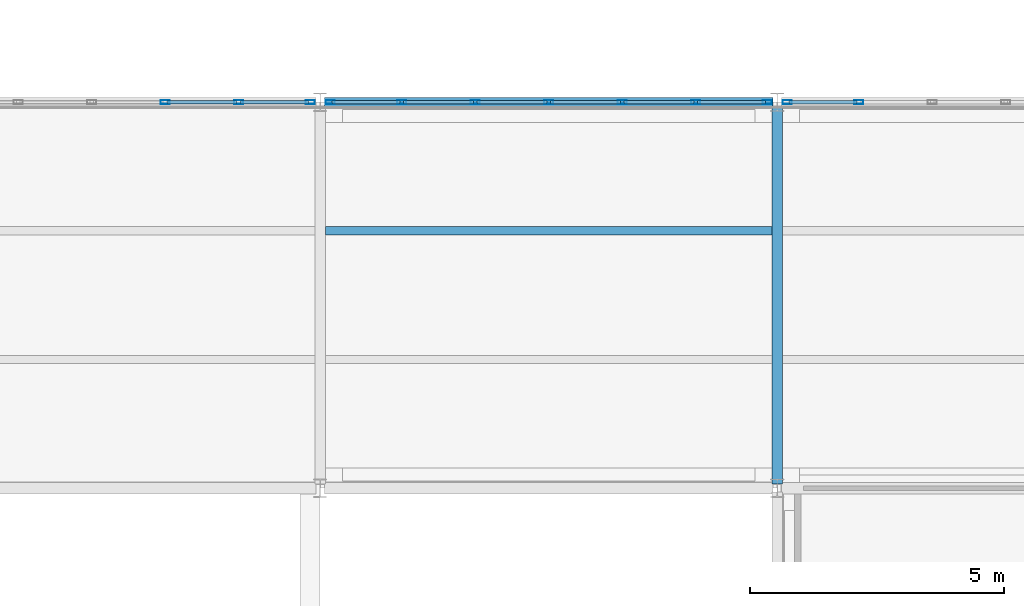
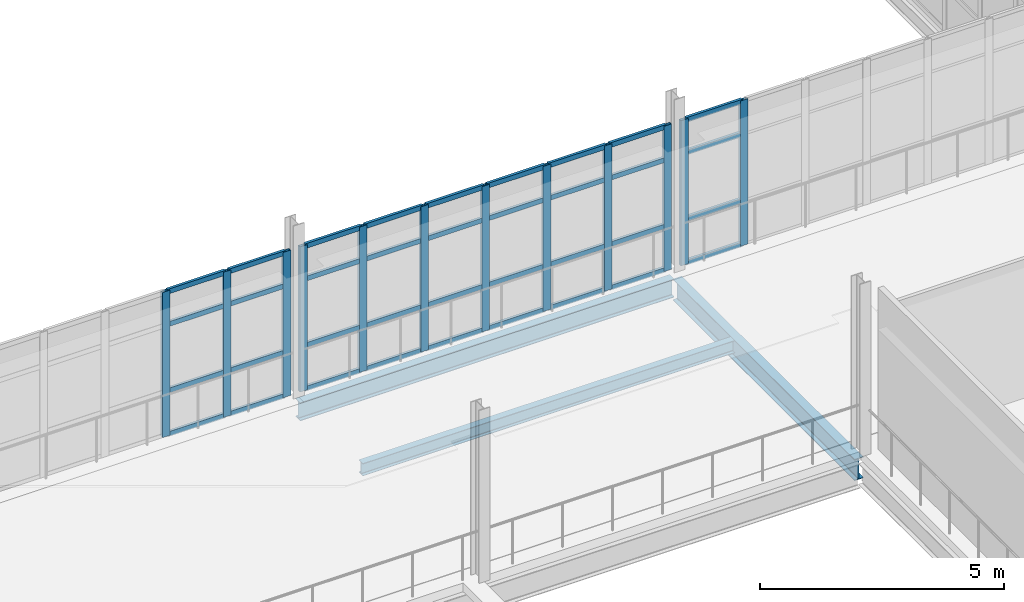
# One storey, part 48 of 174: 48 members, 3 beams, 3 elements without a shape of their own.
"""IFC4 building model written with IfcOpenShell, lengths in metres."""

from ifc_helpers import new_model, si_unit, direction, frame, origin, origin_2d, place, context, subcontext, project, spatial, hollow_rectangle, i_section, extrude, material, material_profile, profile_set, type_object, element, aggregate, save


model = new_model("IFC4")

# Units and contexts
model_context = context("Model", 3, precision=1e-05, world=origin(), true_north=direction((0.0, 1.0)))
body_context = subcontext(model_context, "Body", "Model", "MODEL_VIEW")
ifc_project = project(units=[si_unit("LENGTHUNIT", "METRE"), si_unit("AREAUNIT", "SQUARE_METRE"), si_unit("VOLUMEUNIT", "CUBIC_METRE"), si_unit("PLANEANGLEUNIT", "RADIAN"), si_unit("MASSUNIT", "GRAM", prefix="KILO")], contexts=[model_context])

# Site, building, storey
site_placement = place(None, origin())
site = spatial("IfcSite", under=ifc_project, at=site_placement, CompositionType="ELEMENT")
building_placement = place(site_placement, origin())
building = spatial("IfcBuilding", under=site, at=building_placement, Name="Caisbarro Railhouse Central Library", CompositionType="ELEMENT")
storey_placement = place(building_placement, frame((0.0, 0.0, 5.0400390625)))
storey = spatial("IfcBuildingStorey", under=building, at=storey_placement, Name="L01", CompositionType="ELEMENT", Elevation=5.0400390625)

# Beams
ifc_material_1 = material(Name="Steel ASTM A572 Grade 50", Category="steel")
ifc_material_profile_1 = material_profile(ifc_material_1, i_section(OverallWidth=0.208984375, OverallDepth=0.532958984375, WebThickness=0.01025390625, FlangeThickness=0.015625, FilletRadius=0.02001953125, at=origin_2d()), Name="W530X92.0")
ifc_profile_set_1 = profile_set([ifc_material_profile_1], Name="Steel ASTM A572 Grade 50")
beam_type_1 = type_object("IfcBeamType", Name="BM-G06", PredefinedType="BEAM", material=ifc_profile_set_1)
beam_1_placement = place(storey_placement, frame((45.0, 53.280029296875, -0.486572265625), z_axis=(0.0, 1.0, 0.0), x_axis=(-1.0, 0.0, 0.0)))
element("IfcBeam", 1, at=beam_1_placement, inside=storey, type_object=beam_type_1, Name="G06 beam L01 #844", PredefinedType="BEAM", context=body_context, shape_type="SweptSolid", body=[
    extrude(i_section(OverallWidth=0.208984375, OverallDepth=0.532958984375, WebThickness=0.01025390625, FlangeThickness=0.015625, FilletRadius=0.02001953125, at=origin_2d()), origin(), (0.0, 0.0, 1.0), 7.43994140625),
])
ifc_material_profile_2 = material_profile(ifc_material_1, i_section(OverallWidth=0.1650390625, OverallDepth=0.31005859375, WebThickness=0.005859375, FlangeThickness=0.009765625, FilletRadius=0.011962890625, at=origin_2d()), Name="W310X38.7")
ifc_profile_set_2 = profile_set([ifc_material_profile_2], Name="Steel ASTM A572 Grade 50")
beam_type_2 = type_object("IfcBeamType", Name="BM-J03", PredefinedType="JOIST", material=ifc_profile_set_2)
beam_2_placement = place(storey_placement, frame((36.1044921875, 58.2666015625, -0.375), z_axis=(1.0, 0.0, 0.0), x_axis=(0.0, 1.0, 0.0)))
element("IfcBeam", 2, at=beam_2_placement, inside=storey, type_object=beam_type_2, Name="J03 beam L01 #882", PredefinedType="JOIST", context=body_context, shape_type="SweptSolid", body=[
    extrude(i_section(OverallWidth=0.1650390625, OverallDepth=0.31005859375, WebThickness=0.005859375, FlangeThickness=0.009765625, FilletRadius=0.011962890625, at=origin_2d()), origin(), (0.0, 0.0, 1.0), 8.791015625),
])
ifc_material_profile_3 = material_profile(ifc_material_1, i_section(OverallWidth=0.18994140625, OverallDepth=0.45703125, WebThickness=0.009033203125, FlangeThickness=0.014404296875, FilletRadius=0.01806640625, at=origin_2d()), Name="W460X74.0")
ifc_profile_set_3 = profile_set([ifc_material_profile_3], Name="Steel ASTM A572 Grade 50")
beam_type_3 = type_object("IfcBeamType", Name="BM-SP01", PredefinedType="SPANDREL", material=ifc_profile_set_3)
beam_3_placement = place(storey_placement, frame((36.080078125, 60.800048828125, -0.448486328125), z_axis=(1.0, 0.0, 0.0), x_axis=(0.0, 1.0, 0.0)))
element("IfcBeam", 3, at=beam_3_placement, inside=storey, type_object=beam_type_3, Name="SP01 beam L01 #821", PredefinedType="SPANDREL", context=body_context, shape_type="SweptSolid", body=[
    extrude(i_section(OverallWidth=0.18994140625, OverallDepth=0.45703125, WebThickness=0.009033203125, FlangeThickness=0.014404296875, FilletRadius=0.01806640625, at=origin_2d()), origin(), (0.0, 0.0, 1.0), 8.83984375),
])

# Curtain wall, members
ifc_material_2 = material(Name="Anodised architectural aluminium", Category="aluminium")
curtain_wall_type = type_object("IfcCurtainWallType", Name="CW-CW02", PredefinedType="NOTDEFINED", material=ifc_material_2)
curtain_wall_1_placement = place(storey_placement, origin())
curtain_wall_1 = element("IfcCurtainWall", 4, at=curtain_wall_1_placement, inside=storey, type_object=curtain_wall_type, Name="CW02 curtain wall L01 #10", PredefinedType="NOTDEFINED")
ifc_material_profile_4 = material_profile(ifc_material_2, hollow_rectangle(XDim=0.074951171875, YDim=0.179931640625, WallThickness=0.00439453125, at=origin_2d()), Name="ALU-MUL-75X180")
ifc_profile_set_4 = profile_set([ifc_material_profile_4], Name="Anodised architectural aluminium")
member_type_1 = type_object("IfcMemberType", Name="CWM-M01", PredefinedType="MULLION", material=ifc_profile_set_4)
member_1_placement = place(storey_placement, frame((32.94677734375, 60.800048828125, 0.0), z_axis=(0.0, 0.0, 1.0), x_axis=(0.0, 1.0, 0.0)))
member_1 = element("IfcMember", 5, at=member_1_placement, type_object=member_type_1, Name="CW02 mullion 5", PredefinedType="MULLION", context=body_context, shape_type="SweptSolid", body=[
    extrude(hollow_rectangle(XDim=0.074951171875, YDim=0.179931640625, WallThickness=0.00439453125, at=origin_2d()), origin(), (0.0, 0.0, 1.0), 3.6298828125),
])
member_2_placement = place(storey_placement, frame((34.393310546875, 60.800048828125, 0.0), z_axis=(0.0, 0.0, 1.0), x_axis=(0.0, 1.0, 0.0)))
member_2 = element("IfcMember", 6, at=member_2_placement, type_object=member_type_1, Name="CW02 mullion 6", PredefinedType="MULLION", context=body_context, shape_type="SweptSolid", body=[
    extrude(hollow_rectangle(XDim=0.074951171875, YDim=0.179931640625, WallThickness=0.00439453125, at=origin_2d()), origin(), (0.0, 0.0, 1.0), 3.6298828125),
])
member_3_placement = place(storey_placement, frame((35.802490234375, 60.800048828125, 0.0), z_axis=(0.0, 0.0, 1.0), x_axis=(0.0, 1.0, 0.0)))
member_3 = element("IfcMember", 7, at=member_3_placement, type_object=member_type_1, Name="CW02 mullion 7", PredefinedType="MULLION", context=body_context, shape_type="SweptSolid", body=[
    extrude(hollow_rectangle(XDim=0.074951171875, YDim=0.179931640625, WallThickness=0.00439453125, at=origin_2d()), origin(), (0.0, 0.0, 1.0), 3.6298828125),
])

curtain_wall_2_placement = place(storey_placement, origin())
curtain_wall_2 = element("IfcCurtainWall", 8, at=curtain_wall_2_placement, inside=storey, type_object=curtain_wall_type, Name="CW02 curtain wall L01 #12", PredefinedType="NOTDEFINED")
member_4_placement = place(storey_placement, frame((36.197509765625, 60.800048828125, 0.0), z_axis=(0.0, 0.0, 1.0), x_axis=(0.0, 1.0, 0.0)))
member_4 = element("IfcMember", 9, at=member_4_placement, type_object=member_type_1, Name="CW02 mullion 1", PredefinedType="MULLION", context=body_context, shape_type="SweptSolid", body=[
    extrude(hollow_rectangle(XDim=0.074951171875, YDim=0.179931640625, WallThickness=0.00439453125, at=origin_2d()), origin(), (0.0, 0.0, 1.0), 3.6298828125),
])
member_5_placement = place(storey_placement, frame((37.606689453125, 60.800048828125, 0.0), z_axis=(0.0, 0.0, 1.0), x_axis=(0.0, 1.0, 0.0)))
member_5 = element("IfcMember", 10, at=member_5_placement, type_object=member_type_1, Name="CW02 mullion 2", PredefinedType="MULLION", context=body_context, shape_type="SweptSolid", body=[
    extrude(hollow_rectangle(XDim=0.074951171875, YDim=0.179931640625, WallThickness=0.00439453125, at=origin_2d()), origin(), (0.0, 0.0, 1.0), 3.6298828125),
])
member_6_placement = place(storey_placement, frame((39.05322265625, 60.800048828125, 0.0), z_axis=(0.0, 0.0, 1.0), x_axis=(0.0, 1.0, 0.0)))
member_6 = element("IfcMember", 11, at=member_6_placement, type_object=member_type_1, Name="CW02 mullion 3", PredefinedType="MULLION", context=body_context, shape_type="SweptSolid", body=[
    extrude(hollow_rectangle(XDim=0.074951171875, YDim=0.179931640625, WallThickness=0.00439453125, at=origin_2d()), origin(), (0.0, 0.0, 1.0), 3.6298828125),
])
member_7_placement = place(storey_placement, frame((40.5, 60.800048828125, 0.0), z_axis=(0.0, 0.0, 1.0), x_axis=(0.0, 1.0, 0.0)))
member_7 = element("IfcMember", 12, at=member_7_placement, type_object=member_type_1, Name="CW02 mullion 4", PredefinedType="MULLION", context=body_context, shape_type="SweptSolid", body=[
    extrude(hollow_rectangle(XDim=0.074951171875, YDim=0.179931640625, WallThickness=0.00439453125, at=origin_2d()), origin(), (0.0, 0.0, 1.0), 3.6298828125),
])
member_8_placement = place(storey_placement, frame((41.94677734375, 60.800048828125, 0.0), z_axis=(0.0, 0.0, 1.0), x_axis=(0.0, 1.0, 0.0)))
member_8 = element("IfcMember", 13, at=member_8_placement, type_object=member_type_1, Name="CW02 mullion 5", PredefinedType="MULLION", context=body_context, shape_type="SweptSolid", body=[
    extrude(hollow_rectangle(XDim=0.074951171875, YDim=0.179931640625, WallThickness=0.00439453125, at=origin_2d()), origin(), (0.0, 0.0, 1.0), 3.6298828125),
])
member_9_placement = place(storey_placement, frame((43.393310546875, 60.800048828125, 0.0), z_axis=(0.0, 0.0, 1.0), x_axis=(0.0, 1.0, 0.0)))
member_9 = element("IfcMember", 14, at=member_9_placement, type_object=member_type_1, Name="CW02 mullion 6", PredefinedType="MULLION", context=body_context, shape_type="SweptSolid", body=[
    extrude(hollow_rectangle(XDim=0.074951171875, YDim=0.179931640625, WallThickness=0.00439453125, at=origin_2d()), origin(), (0.0, 0.0, 1.0), 3.6298828125),
])
member_10_placement = place(storey_placement, frame((44.802490234375, 60.800048828125, 0.0), z_axis=(0.0, 0.0, 1.0), x_axis=(0.0, 1.0, 0.0)))
member_10 = element("IfcMember", 15, at=member_10_placement, type_object=member_type_1, Name="CW02 mullion 7", PredefinedType="MULLION", context=body_context, shape_type="SweptSolid", body=[
    extrude(hollow_rectangle(XDim=0.074951171875, YDim=0.179931640625, WallThickness=0.00439453125, at=origin_2d()), origin(), (0.0, 0.0, 1.0), 3.6298828125),
])

curtain_wall_3_placement = place(storey_placement, origin())
curtain_wall_3 = element("IfcCurtainWall", 16, at=curtain_wall_3_placement, inside=storey, type_object=curtain_wall_type, Name="CW02 curtain wall L01 #15", PredefinedType="NOTDEFINED")
member_11_placement = place(storey_placement, frame((45.197509765625, 60.800048828125, 0.0), z_axis=(0.0, 0.0, 1.0), x_axis=(0.0, 1.0, 0.0)))
member_11 = element("IfcMember", 17, at=member_11_placement, type_object=member_type_1, Name="CW02 mullion 1", PredefinedType="MULLION", context=body_context, shape_type="SweptSolid", body=[
    extrude(hollow_rectangle(XDim=0.074951171875, YDim=0.179931640625, WallThickness=0.00439453125, at=origin_2d()), origin(), (0.0, 0.0, 1.0), 3.6298828125),
])
member_12_placement = place(storey_placement, frame((46.606689453125, 60.800048828125, 0.0), z_axis=(0.0, 0.0, 1.0), x_axis=(0.0, 1.0, 0.0)))
member_12 = element("IfcMember", 18, at=member_12_placement, type_object=member_type_1, Name="CW02 mullion 2", PredefinedType="MULLION", context=body_context, shape_type="SweptSolid", body=[
    extrude(hollow_rectangle(XDim=0.074951171875, YDim=0.179931640625, WallThickness=0.00439453125, at=origin_2d()), origin(), (0.0, 0.0, 1.0), 3.6298828125),
])

# Member
ifc_material_profile_5 = material_profile(ifc_material_2, hollow_rectangle(XDim=0.06494140625, YDim=0.1201171875, WallThickness=0.00341796875, at=origin_2d()), Name="ALU-TRN-65X120")
ifc_profile_set_5 = profile_set([ifc_material_profile_5], Name="Anodised architectural aluminium")
member_type_2 = type_object("IfcMemberType", Name="CWT-T02", PredefinedType="USERDEFINED", material=ifc_profile_set_5)
member_13_placement = place(storey_placement, frame((32.984130859375, 60.800048828125, 0.032470703125), z_axis=(1.0, 0.0, 0.0), x_axis=(0.0, 1.0, 0.0)))
member_13 = element("IfcMember", 19, at=member_13_placement, type_object=member_type_2, Name="CW02 transom 5.1", ObjectType="TRANSOM", PredefinedType="USERDEFINED", context=body_context, shape_type="SweptSolid", body=[
    extrude(hollow_rectangle(XDim=0.06494140625, YDim=0.1201171875, WallThickness=0.00341796875, at=origin_2d()), origin(), (0.0, 0.0, 1.0), 1.37158203125),
])

member_14_placement = place(storey_placement, frame((32.984130859375, 60.800048828125, 1.119873046875), z_axis=(1.0, 0.0, 0.0), x_axis=(0.0, 1.0, 0.0)))
member_14 = element("IfcMember", 20, at=member_14_placement, type_object=member_type_2, Name="CW02 transom 5.2", ObjectType="TRANSOM", PredefinedType="USERDEFINED", context=body_context, shape_type="SweptSolid", body=[
    extrude(hollow_rectangle(XDim=0.06494140625, YDim=0.1201171875, WallThickness=0.00341796875, at=origin_2d()), origin(), (0.0, 0.0, 1.0), 1.37158203125),
])

member_15_placement = place(storey_placement, frame((32.984130859375, 60.800048828125, 2.780029296875), z_axis=(1.0, 0.0, 0.0), x_axis=(0.0, 1.0, 0.0)))
member_15 = element("IfcMember", 21, at=member_15_placement, type_object=member_type_2, Name="CW02 transom 5.3", ObjectType="TRANSOM", PredefinedType="USERDEFINED", context=body_context, shape_type="SweptSolid", body=[
    extrude(hollow_rectangle(XDim=0.06494140625, YDim=0.1201171875, WallThickness=0.00341796875, at=origin_2d()), origin(), (0.0, 0.0, 1.0), 1.37158203125),
])

member_16_placement = place(storey_placement, frame((32.984130859375, 60.800048828125, 3.597412109375), z_axis=(1.0, 0.0, 0.0), x_axis=(0.0, 1.0, 0.0)))
member_16 = element("IfcMember", 22, at=member_16_placement, type_object=member_type_2, Name="CW02 transom 5.4", ObjectType="TRANSOM", PredefinedType="USERDEFINED", context=body_context, shape_type="SweptSolid", body=[
    extrude(hollow_rectangle(XDim=0.06494140625, YDim=0.1201171875, WallThickness=0.00341796875, at=origin_2d()), origin(), (0.0, 0.0, 1.0), 1.37158203125),
])

member_17_placement = place(storey_placement, frame((34.430908203125, 60.800048828125, 0.032470703125), z_axis=(1.0, 0.0, 0.0), x_axis=(0.0, 1.0, 0.0)))
member_17 = element("IfcMember", 23, at=member_17_placement, type_object=member_type_2, Name="CW02 transom 6.1", ObjectType="TRANSOM", PredefinedType="USERDEFINED", context=body_context, shape_type="SweptSolid", body=[
    extrude(hollow_rectangle(XDim=0.06494140625, YDim=0.1201171875, WallThickness=0.00341796875, at=origin_2d()), origin(), (0.0, 0.0, 1.0), 1.333984375),
])

member_18_placement = place(storey_placement, frame((34.430908203125, 60.800048828125, 1.119873046875), z_axis=(1.0, 0.0, 0.0), x_axis=(0.0, 1.0, 0.0)))
member_18 = element("IfcMember", 24, at=member_18_placement, type_object=member_type_2, Name="CW02 transom 6.2", ObjectType="TRANSOM", PredefinedType="USERDEFINED", context=body_context, shape_type="SweptSolid", body=[
    extrude(hollow_rectangle(XDim=0.06494140625, YDim=0.1201171875, WallThickness=0.00341796875, at=origin_2d()), origin(), (0.0, 0.0, 1.0), 1.333984375),
])

member_19_placement = place(storey_placement, frame((34.430908203125, 60.800048828125, 2.780029296875), z_axis=(1.0, 0.0, 0.0), x_axis=(0.0, 1.0, 0.0)))
member_19 = element("IfcMember", 25, at=member_19_placement, type_object=member_type_2, Name="CW02 transom 6.3", ObjectType="TRANSOM", PredefinedType="USERDEFINED", context=body_context, shape_type="SweptSolid", body=[
    extrude(hollow_rectangle(XDim=0.06494140625, YDim=0.1201171875, WallThickness=0.00341796875, at=origin_2d()), origin(), (0.0, 0.0, 1.0), 1.333984375),
])

member_20_placement = place(storey_placement, frame((34.430908203125, 60.800048828125, 3.597412109375), z_axis=(1.0, 0.0, 0.0), x_axis=(0.0, 1.0, 0.0)))
member_20 = element("IfcMember", 26, at=member_20_placement, type_object=member_type_2, Name="CW02 transom 6.4", ObjectType="TRANSOM", PredefinedType="USERDEFINED", context=body_context, shape_type="SweptSolid", body=[
    extrude(hollow_rectangle(XDim=0.06494140625, YDim=0.1201171875, WallThickness=0.00341796875, at=origin_2d()), origin(), (0.0, 0.0, 1.0), 1.333984375),
])

aggregate(curtain_wall_1, [member_1, member_2, member_3, member_13, member_14, member_15, member_16, member_17, member_18, member_19, member_20])

member_21_placement = place(storey_placement, frame((36.235107421875, 60.800048828125, 0.032470703125), z_axis=(1.0, 0.0, 0.0), x_axis=(0.0, 1.0, 0.0)))
member_21 = element("IfcMember", 27, at=member_21_placement, type_object=member_type_2, Name="CW02 transom 1.1", ObjectType="TRANSOM", PredefinedType="USERDEFINED", context=body_context, shape_type="SweptSolid", body=[
    extrude(hollow_rectangle(XDim=0.06494140625, YDim=0.1201171875, WallThickness=0.00341796875, at=origin_2d()), origin(), (0.0, 0.0, 1.0), 1.333984375),
])

member_22_placement = place(storey_placement, frame((36.235107421875, 60.800048828125, 1.119873046875), z_axis=(1.0, 0.0, 0.0), x_axis=(0.0, 1.0, 0.0)))
member_22 = element("IfcMember", 28, at=member_22_placement, type_object=member_type_2, Name="CW02 transom 1.2", ObjectType="TRANSOM", PredefinedType="USERDEFINED", context=body_context, shape_type="SweptSolid", body=[
    extrude(hollow_rectangle(XDim=0.06494140625, YDim=0.1201171875, WallThickness=0.00341796875, at=origin_2d()), origin(), (0.0, 0.0, 1.0), 1.333984375),
])

member_23_placement = place(storey_placement, frame((36.235107421875, 60.800048828125, 2.780029296875), z_axis=(1.0, 0.0, 0.0), x_axis=(0.0, 1.0, 0.0)))
member_23 = element("IfcMember", 29, at=member_23_placement, type_object=member_type_2, Name="CW02 transom 1.3", ObjectType="TRANSOM", PredefinedType="USERDEFINED", context=body_context, shape_type="SweptSolid", body=[
    extrude(hollow_rectangle(XDim=0.06494140625, YDim=0.1201171875, WallThickness=0.00341796875, at=origin_2d()), origin(), (0.0, 0.0, 1.0), 1.333984375),
])

member_24_placement = place(storey_placement, frame((36.235107421875, 60.800048828125, 3.597412109375), z_axis=(1.0, 0.0, 0.0), x_axis=(0.0, 1.0, 0.0)))
member_24 = element("IfcMember", 30, at=member_24_placement, type_object=member_type_2, Name="CW02 transom 1.4", ObjectType="TRANSOM", PredefinedType="USERDEFINED", context=body_context, shape_type="SweptSolid", body=[
    extrude(hollow_rectangle(XDim=0.06494140625, YDim=0.1201171875, WallThickness=0.00341796875, at=origin_2d()), origin(), (0.0, 0.0, 1.0), 1.333984375),
])

member_25_placement = place(storey_placement, frame((37.644287109375, 60.800048828125, 0.032470703125), z_axis=(1.0, 0.0, 0.0), x_axis=(0.0, 1.0, 0.0)))
member_25 = element("IfcMember", 31, at=member_25_placement, type_object=member_type_2, Name="CW02 transom 2.1", ObjectType="TRANSOM", PredefinedType="USERDEFINED", context=body_context, shape_type="SweptSolid", body=[
    extrude(hollow_rectangle(XDim=0.06494140625, YDim=0.1201171875, WallThickness=0.00341796875, at=origin_2d()), origin(), (0.0, 0.0, 1.0), 1.37158203125),
])

member_26_placement = place(storey_placement, frame((37.644287109375, 60.800048828125, 1.119873046875), z_axis=(1.0, 0.0, 0.0), x_axis=(0.0, 1.0, 0.0)))
member_26 = element("IfcMember", 32, at=member_26_placement, type_object=member_type_2, Name="CW02 transom 2.2", ObjectType="TRANSOM", PredefinedType="USERDEFINED", context=body_context, shape_type="SweptSolid", body=[
    extrude(hollow_rectangle(XDim=0.06494140625, YDim=0.1201171875, WallThickness=0.00341796875, at=origin_2d()), origin(), (0.0, 0.0, 1.0), 1.37158203125),
])

member_27_placement = place(storey_placement, frame((37.644287109375, 60.800048828125, 2.780029296875), z_axis=(1.0, 0.0, 0.0), x_axis=(0.0, 1.0, 0.0)))
member_27 = element("IfcMember", 33, at=member_27_placement, type_object=member_type_2, Name="CW02 transom 2.3", ObjectType="TRANSOM", PredefinedType="USERDEFINED", context=body_context, shape_type="SweptSolid", body=[
    extrude(hollow_rectangle(XDim=0.06494140625, YDim=0.1201171875, WallThickness=0.00341796875, at=origin_2d()), origin(), (0.0, 0.0, 1.0), 1.37158203125),
])

member_28_placement = place(storey_placement, frame((37.644287109375, 60.800048828125, 3.597412109375), z_axis=(1.0, 0.0, 0.0), x_axis=(0.0, 1.0, 0.0)))
member_28 = element("IfcMember", 34, at=member_28_placement, type_object=member_type_2, Name="CW02 transom 2.4", ObjectType="TRANSOM", PredefinedType="USERDEFINED", context=body_context, shape_type="SweptSolid", body=[
    extrude(hollow_rectangle(XDim=0.06494140625, YDim=0.1201171875, WallThickness=0.00341796875, at=origin_2d()), origin(), (0.0, 0.0, 1.0), 1.37158203125),
])

member_29_placement = place(storey_placement, frame((39.0908203125, 60.800048828125, 0.032470703125), z_axis=(1.0, 0.0, 0.0), x_axis=(0.0, 1.0, 0.0)))
member_29 = element("IfcMember", 35, at=member_29_placement, type_object=member_type_2, Name="CW02 transom 3.1", ObjectType="TRANSOM", PredefinedType="USERDEFINED", context=body_context, shape_type="SweptSolid", body=[
    extrude(hollow_rectangle(XDim=0.06494140625, YDim=0.1201171875, WallThickness=0.00341796875, at=origin_2d()), origin(), (0.0, 0.0, 1.0), 1.37158203125),
])

member_30_placement = place(storey_placement, frame((39.0908203125, 60.800048828125, 1.119873046875), z_axis=(1.0, 0.0, 0.0), x_axis=(0.0, 1.0, 0.0)))
member_30 = element("IfcMember", 36, at=member_30_placement, type_object=member_type_2, Name="CW02 transom 3.2", ObjectType="TRANSOM", PredefinedType="USERDEFINED", context=body_context, shape_type="SweptSolid", body=[
    extrude(hollow_rectangle(XDim=0.06494140625, YDim=0.1201171875, WallThickness=0.00341796875, at=origin_2d()), origin(), (0.0, 0.0, 1.0), 1.37158203125),
])

member_31_placement = place(storey_placement, frame((39.0908203125, 60.800048828125, 2.780029296875), z_axis=(1.0, 0.0, 0.0), x_axis=(0.0, 1.0, 0.0)))
member_31 = element("IfcMember", 37, at=member_31_placement, type_object=member_type_2, Name="CW02 transom 3.3", ObjectType="TRANSOM", PredefinedType="USERDEFINED", context=body_context, shape_type="SweptSolid", body=[
    extrude(hollow_rectangle(XDim=0.06494140625, YDim=0.1201171875, WallThickness=0.00341796875, at=origin_2d()), origin(), (0.0, 0.0, 1.0), 1.37158203125),
])

member_32_placement = place(storey_placement, frame((39.0908203125, 60.800048828125, 3.597412109375), z_axis=(1.0, 0.0, 0.0), x_axis=(0.0, 1.0, 0.0)))
member_32 = element("IfcMember", 38, at=member_32_placement, type_object=member_type_2, Name="CW02 transom 3.4", ObjectType="TRANSOM", PredefinedType="USERDEFINED", context=body_context, shape_type="SweptSolid", body=[
    extrude(hollow_rectangle(XDim=0.06494140625, YDim=0.1201171875, WallThickness=0.00341796875, at=origin_2d()), origin(), (0.0, 0.0, 1.0), 1.37158203125),
])

member_33_placement = place(storey_placement, frame((40.53759765625, 60.800048828125, 0.032470703125), z_axis=(1.0, 0.0, 0.0), x_axis=(0.0, 1.0, 0.0)))
member_33 = element("IfcMember", 39, at=member_33_placement, type_object=member_type_2, Name="CW02 transom 4.1", ObjectType="TRANSOM", PredefinedType="USERDEFINED", context=body_context, shape_type="SweptSolid", body=[
    extrude(hollow_rectangle(XDim=0.06494140625, YDim=0.1201171875, WallThickness=0.00341796875, at=origin_2d()), origin(), (0.0, 0.0, 1.0), 1.37158203125),
])

member_34_placement = place(storey_placement, frame((40.53759765625, 60.800048828125, 1.119873046875), z_axis=(1.0, 0.0, 0.0), x_axis=(0.0, 1.0, 0.0)))
member_34 = element("IfcMember", 40, at=member_34_placement, type_object=member_type_2, Name="CW02 transom 4.2", ObjectType="TRANSOM", PredefinedType="USERDEFINED", context=body_context, shape_type="SweptSolid", body=[
    extrude(hollow_rectangle(XDim=0.06494140625, YDim=0.1201171875, WallThickness=0.00341796875, at=origin_2d()), origin(), (0.0, 0.0, 1.0), 1.37158203125),
])

member_35_placement = place(storey_placement, frame((40.53759765625, 60.800048828125, 2.780029296875), z_axis=(1.0, 0.0, 0.0), x_axis=(0.0, 1.0, 0.0)))
member_35 = element("IfcMember", 41, at=member_35_placement, type_object=member_type_2, Name="CW02 transom 4.3", ObjectType="TRANSOM", PredefinedType="USERDEFINED", context=body_context, shape_type="SweptSolid", body=[
    extrude(hollow_rectangle(XDim=0.06494140625, YDim=0.1201171875, WallThickness=0.00341796875, at=origin_2d()), origin(), (0.0, 0.0, 1.0), 1.37158203125),
])

member_36_placement = place(storey_placement, frame((40.53759765625, 60.800048828125, 3.597412109375), z_axis=(1.0, 0.0, 0.0), x_axis=(0.0, 1.0, 0.0)))
member_36 = element("IfcMember", 42, at=member_36_placement, type_object=member_type_2, Name="CW02 transom 4.4", ObjectType="TRANSOM", PredefinedType="USERDEFINED", context=body_context, shape_type="SweptSolid", body=[
    extrude(hollow_rectangle(XDim=0.06494140625, YDim=0.1201171875, WallThickness=0.00341796875, at=origin_2d()), origin(), (0.0, 0.0, 1.0), 1.37158203125),
])

member_37_placement = place(storey_placement, frame((41.984130859375, 60.800048828125, 0.032470703125), z_axis=(1.0, 0.0, 0.0), x_axis=(0.0, 1.0, 0.0)))
member_37 = element("IfcMember", 43, at=member_37_placement, type_object=member_type_2, Name="CW02 transom 5.1", ObjectType="TRANSOM", PredefinedType="USERDEFINED", context=body_context, shape_type="SweptSolid", body=[
    extrude(hollow_rectangle(XDim=0.06494140625, YDim=0.1201171875, WallThickness=0.00341796875, at=origin_2d()), origin(), (0.0, 0.0, 1.0), 1.37158203125),
])

member_38_placement = place(storey_placement, frame((41.984130859375, 60.800048828125, 1.119873046875), z_axis=(1.0, 0.0, 0.0), x_axis=(0.0, 1.0, 0.0)))
member_38 = element("IfcMember", 44, at=member_38_placement, type_object=member_type_2, Name="CW02 transom 5.2", ObjectType="TRANSOM", PredefinedType="USERDEFINED", context=body_context, shape_type="SweptSolid", body=[
    extrude(hollow_rectangle(XDim=0.06494140625, YDim=0.1201171875, WallThickness=0.00341796875, at=origin_2d()), origin(), (0.0, 0.0, 1.0), 1.37158203125),
])

member_39_placement = place(storey_placement, frame((41.984130859375, 60.800048828125, 2.780029296875), z_axis=(1.0, 0.0, 0.0), x_axis=(0.0, 1.0, 0.0)))
member_39 = element("IfcMember", 45, at=member_39_placement, type_object=member_type_2, Name="CW02 transom 5.3", ObjectType="TRANSOM", PredefinedType="USERDEFINED", context=body_context, shape_type="SweptSolid", body=[
    extrude(hollow_rectangle(XDim=0.06494140625, YDim=0.1201171875, WallThickness=0.00341796875, at=origin_2d()), origin(), (0.0, 0.0, 1.0), 1.37158203125),
])

member_40_placement = place(storey_placement, frame((41.984130859375, 60.800048828125, 3.597412109375), z_axis=(1.0, 0.0, 0.0), x_axis=(0.0, 1.0, 0.0)))
member_40 = element("IfcMember", 46, at=member_40_placement, type_object=member_type_2, Name="CW02 transom 5.4", ObjectType="TRANSOM", PredefinedType="USERDEFINED", context=body_context, shape_type="SweptSolid", body=[
    extrude(hollow_rectangle(XDim=0.06494140625, YDim=0.1201171875, WallThickness=0.00341796875, at=origin_2d()), origin(), (0.0, 0.0, 1.0), 1.37158203125),
])

member_41_placement = place(storey_placement, frame((43.430908203125, 60.800048828125, 0.032470703125), z_axis=(1.0, 0.0, 0.0), x_axis=(0.0, 1.0, 0.0)))
member_41 = element("IfcMember", 47, at=member_41_placement, type_object=member_type_2, Name="CW02 transom 6.1", ObjectType="TRANSOM", PredefinedType="USERDEFINED", context=body_context, shape_type="SweptSolid", body=[
    extrude(hollow_rectangle(XDim=0.06494140625, YDim=0.1201171875, WallThickness=0.00341796875, at=origin_2d()), origin(), (0.0, 0.0, 1.0), 1.333984375),
])

member_42_placement = place(storey_placement, frame((43.430908203125, 60.800048828125, 1.119873046875), z_axis=(1.0, 0.0, 0.0), x_axis=(0.0, 1.0, 0.0)))
member_42 = element("IfcMember", 48, at=member_42_placement, type_object=member_type_2, Name="CW02 transom 6.2", ObjectType="TRANSOM", PredefinedType="USERDEFINED", context=body_context, shape_type="SweptSolid", body=[
    extrude(hollow_rectangle(XDim=0.06494140625, YDim=0.1201171875, WallThickness=0.00341796875, at=origin_2d()), origin(), (0.0, 0.0, 1.0), 1.333984375),
])

member_43_placement = place(storey_placement, frame((43.430908203125, 60.800048828125, 2.780029296875), z_axis=(1.0, 0.0, 0.0), x_axis=(0.0, 1.0, 0.0)))
member_43 = element("IfcMember", 49, at=member_43_placement, type_object=member_type_2, Name="CW02 transom 6.3", ObjectType="TRANSOM", PredefinedType="USERDEFINED", context=body_context, shape_type="SweptSolid", body=[
    extrude(hollow_rectangle(XDim=0.06494140625, YDim=0.1201171875, WallThickness=0.00341796875, at=origin_2d()), origin(), (0.0, 0.0, 1.0), 1.333984375),
])

member_44_placement = place(storey_placement, frame((43.430908203125, 60.800048828125, 3.597412109375), z_axis=(1.0, 0.0, 0.0), x_axis=(0.0, 1.0, 0.0)))
member_44 = element("IfcMember", 50, at=member_44_placement, type_object=member_type_2, Name="CW02 transom 6.4", ObjectType="TRANSOM", PredefinedType="USERDEFINED", context=body_context, shape_type="SweptSolid", body=[
    extrude(hollow_rectangle(XDim=0.06494140625, YDim=0.1201171875, WallThickness=0.00341796875, at=origin_2d()), origin(), (0.0, 0.0, 1.0), 1.333984375),
])

aggregate(curtain_wall_2, [member_4, member_5, member_6, member_7, member_8, member_9, member_10, member_21, member_22, member_23, member_24, member_25, member_26, member_27, member_28, member_29, member_30, member_31, member_32, member_33, member_34, member_35, member_36, member_37, member_38, member_39, member_40, member_41, member_42, member_43, member_44])

member_45_placement = place(storey_placement, frame((45.235107421875, 60.800048828125, 0.032470703125), z_axis=(1.0, 0.0, 0.0), x_axis=(0.0, 1.0, 0.0)))
member_45 = element("IfcMember", 51, at=member_45_placement, type_object=member_type_2, Name="CW02 transom 1.1", ObjectType="TRANSOM", PredefinedType="USERDEFINED", context=body_context, shape_type="SweptSolid", body=[
    extrude(hollow_rectangle(XDim=0.06494140625, YDim=0.1201171875, WallThickness=0.00341796875, at=origin_2d()), origin(), (0.0, 0.0, 1.0), 1.333984375),
])

member_46_placement = place(storey_placement, frame((45.235107421875, 60.800048828125, 1.119873046875), z_axis=(1.0, 0.0, 0.0), x_axis=(0.0, 1.0, 0.0)))
member_46 = element("IfcMember", 52, at=member_46_placement, type_object=member_type_2, Name="CW02 transom 1.2", ObjectType="TRANSOM", PredefinedType="USERDEFINED", context=body_context, shape_type="SweptSolid", body=[
    extrude(hollow_rectangle(XDim=0.06494140625, YDim=0.1201171875, WallThickness=0.00341796875, at=origin_2d()), origin(), (0.0, 0.0, 1.0), 1.333984375),
])

member_47_placement = place(storey_placement, frame((45.235107421875, 60.800048828125, 2.780029296875), z_axis=(1.0, 0.0, 0.0), x_axis=(0.0, 1.0, 0.0)))
member_47 = element("IfcMember", 53, at=member_47_placement, type_object=member_type_2, Name="CW02 transom 1.3", ObjectType="TRANSOM", PredefinedType="USERDEFINED", context=body_context, shape_type="SweptSolid", body=[
    extrude(hollow_rectangle(XDim=0.06494140625, YDim=0.1201171875, WallThickness=0.00341796875, at=origin_2d()), origin(), (0.0, 0.0, 1.0), 1.333984375),
])

member_48_placement = place(storey_placement, frame((45.235107421875, 60.800048828125, 3.597412109375), z_axis=(1.0, 0.0, 0.0), x_axis=(0.0, 1.0, 0.0)))
member_48 = element("IfcMember", 54, at=member_48_placement, type_object=member_type_2, Name="CW02 transom 1.4", ObjectType="TRANSOM", PredefinedType="USERDEFINED", context=body_context, shape_type="SweptSolid", body=[
    extrude(hollow_rectangle(XDim=0.06494140625, YDim=0.1201171875, WallThickness=0.00341796875, at=origin_2d()), origin(), (0.0, 0.0, 1.0), 1.333984375),
])

aggregate(curtain_wall_3, [member_11, member_12, member_45, member_46, member_47, member_48])

save(model, "model.ifc")
